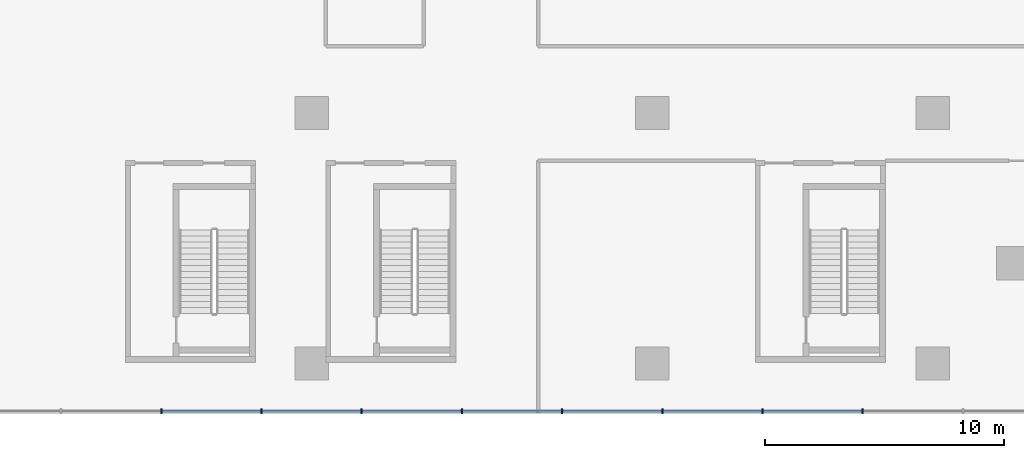
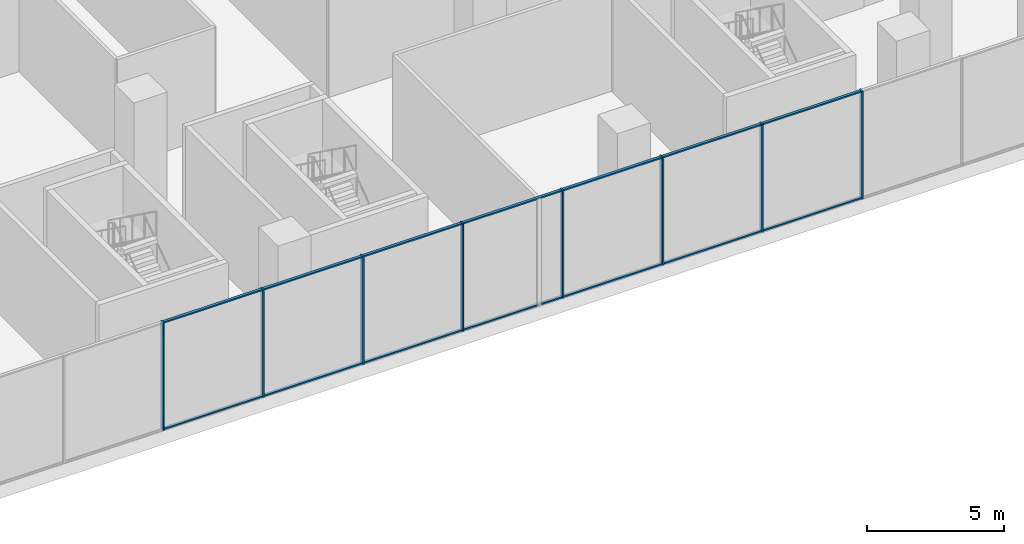
# One storey, part 4 of 22: 22 members, 1 element without a shape of its own.
"""IFC4 building model written with IfcOpenShell, lengths in metres."""

from ifc_helpers import new_model, si_unit, direction, frame, origin, origin_2d, place, context, subcontext, project, spatial, rectangle, extrude, source, transform, mapped, material, layer, layer_set, material_profile, profile_set, type_object, element, aggregate, save


model = new_model("IFC4")

# Units and contexts
model_context = context("Model", 3, precision=1e-05, world=origin(), true_north=direction((0.0, 1.0)))
body_context = subcontext(model_context, "Body", "Model", "MODEL_VIEW")
ifc_project = project(units=[si_unit("LENGTHUNIT", "METRE"), si_unit("AREAUNIT", "SQUARE_METRE"), si_unit("VOLUMEUNIT", "CUBIC_METRE"), si_unit("PLANEANGLEUNIT", "RADIAN"), si_unit("MASSUNIT", "GRAM", prefix="KILO")], contexts=[model_context])

# Site, building, storey
site_placement = place(None, origin())
site = spatial("IfcSite", under=ifc_project, at=site_placement, CompositionType="ELEMENT")
building_placement = place(site_placement, origin())
building = spatial("IfcBuilding", under=site, at=building_placement, Name="Aurelian Terraces", CompositionType="ELEMENT")
storey_placement = place(building_placement, frame((0.0, 0.0, 7.5)))
storey = spatial("IfcBuildingStorey", under=building, at=storey_placement, Name="L01", CompositionType="ELEMENT", Elevation=7.5)

# Curtain wall, members
ifc_material_1 = material(Name="Anodised aluminium and clear glazing", Category="aluminium")
ifc_layer = layer(ifc_material_1, 0.2)
ifc_layer_set = layer_set([ifc_layer], Name="Podium shopfront curtain wall")
curtain_wall_type = type_object("IfcCurtainWallType", Name="Podium shopfront curtain wall", PredefinedType="NOTDEFINED", material=ifc_layer_set)
curtain_wall_placement = place(storey_placement, origin())
curtain_wall = element("IfcCurtainWall", 1, at=curtain_wall_placement, inside=storey, type_object=curtain_wall_type, Name="Podium shopfront L01 F01.1", PredefinedType="NOTDEFINED")
ifc_material_2 = material(Name="Anodised aluminium", Category="aluminium")
ifc_material_profile_1 = material_profile(ifc_material_2, rectangle(XDim=0.2, YDim=0.06, at=origin_2d()))
ifc_profile_set_1 = profile_set([ifc_material_profile_1], Name="Anodised aluminium")
member_type_1 = type_object("IfcMemberType", Name="Podium shopfront mullion", PredefinedType="MULLION", material=ifc_profile_set_1)
shared_shape_1 = source(origin(), body_context, "Body", "SweptSolid", [
    extrude(rectangle(XDim=0.2, YDim=0.06, at=origin_2d()), origin(), (0.0, 0.0, 1.0), 4.8),
])
member_1_placement = place(storey_placement, frame((31.5, -2.0, 0.0), z_axis=(0.0, 0.0, 1.0), x_axis=(0.0, 1.0, 0.0)))
member_1 = element("IfcMember", 2, at=member_1_placement, type_object=member_type_1, Name="CW1 mullion 9", PredefinedType="MULLION", context=body_context, shape_type="MappedRepresentation", body=[
    mapped(shared_shape_1, transform((0.0, 0.0, 0.0), scale=1.0)),
])
member_2_placement = place(storey_placement, frame((35.7, -2.0, 0.0), z_axis=(0.0, 0.0, 1.0), x_axis=(0.0, 1.0, 0.0)))
member_2 = element("IfcMember", 3, at=member_2_placement, type_object=member_type_1, Name="CW1 mullion 10", PredefinedType="MULLION", context=body_context, shape_type="MappedRepresentation", body=[
    mapped(shared_shape_1, transform((0.0, 0.0, 0.0), scale=1.0)),
])
member_3_placement = place(storey_placement, frame((39.9, -2.0, 0.0), z_axis=(0.0, 0.0, 1.0), x_axis=(0.0, 1.0, 0.0)))
member_3 = element("IfcMember", 4, at=member_3_placement, type_object=member_type_1, Name="CW1 mullion 11", PredefinedType="MULLION", context=body_context, shape_type="MappedRepresentation", body=[
    mapped(shared_shape_1, transform((0.0, 0.0, 0.0), scale=1.0)),
])
member_4_placement = place(storey_placement, frame((44.1, -2.0, 0.0), z_axis=(0.0, 0.0, 1.0), x_axis=(0.0, 1.0, 0.0)))
member_4 = element("IfcMember", 5, at=member_4_placement, type_object=member_type_1, Name="CW1 mullion 12", PredefinedType="MULLION", context=body_context, shape_type="MappedRepresentation", body=[
    mapped(shared_shape_1, transform((0.0, 0.0, 0.0), scale=1.0)),
])
member_5_placement = place(storey_placement, frame((48.3, -2.0, 0.0), z_axis=(0.0, 0.0, 1.0), x_axis=(0.0, 1.0, 0.0)))
member_5 = element("IfcMember", 6, at=member_5_placement, type_object=member_type_1, Name="CW1 mullion 13", PredefinedType="MULLION", context=body_context, shape_type="MappedRepresentation", body=[
    mapped(shared_shape_1, transform((0.0, 0.0, 0.0), scale=1.0)),
])
member_6_placement = place(storey_placement, frame((52.5, -2.0, 0.0), z_axis=(0.0, 0.0, 1.0), x_axis=(0.0, 1.0, 0.0)))
member_6 = element("IfcMember", 7, at=member_6_placement, type_object=member_type_1, Name="CW1 mullion 14", PredefinedType="MULLION", context=body_context, shape_type="MappedRepresentation", body=[
    mapped(shared_shape_1, transform((0.0, 0.0, 0.0), scale=1.0)),
])
member_7_placement = place(storey_placement, frame((56.7, -2.0, 0.0), z_axis=(0.0, 0.0, 1.0), x_axis=(0.0, 1.0, 0.0)))
member_7 = element("IfcMember", 8, at=member_7_placement, type_object=member_type_1, Name="CW1 mullion 15", PredefinedType="MULLION", context=body_context, shape_type="MappedRepresentation", body=[
    mapped(shared_shape_1, transform((0.0, 0.0, 0.0), scale=1.0)),
])
member_8_placement = place(storey_placement, frame((60.9, -2.0, 0.0), z_axis=(0.0, 0.0, 1.0), x_axis=(0.0, 1.0, 0.0)))
member_8 = element("IfcMember", 9, at=member_8_placement, type_object=member_type_1, Name="CW1 mullion 16", PredefinedType="MULLION", context=body_context, shape_type="MappedRepresentation", body=[
    mapped(shared_shape_1, transform((0.0, 0.0, 0.0), scale=1.0)),
])
ifc_material_profile_2 = material_profile(ifc_material_2, rectangle(XDim=0.12, YDim=0.06, at=origin_2d()))
ifc_profile_set_2 = profile_set([ifc_material_profile_2], Name="Anodised aluminium")
member_type_2 = type_object("IfcMemberType", Name="Podium shopfront transom", PredefinedType="USERDEFINED", material=ifc_profile_set_2)
shared_shape_2 = source(origin(), body_context, "Body", "SweptSolid", [
    extrude(rectangle(XDim=0.12, YDim=0.06, at=origin_2d()), origin(), (0.0, 0.0, 1.0), 4.14),
])
member_9_placement = place(storey_placement, frame((31.53, -2.0, 0.03), z_axis=(1.0, 0.0, 0.0), x_axis=(0.0, 1.0, 0.0)))
member_9 = element("IfcMember", 10, at=member_9_placement, type_object=member_type_2, Name="CW1 transom 9.1", ObjectType="TRANSOM", PredefinedType="USERDEFINED", context=body_context, shape_type="MappedRepresentation", body=[
    mapped(shared_shape_2, transform((0.0, 0.0, 0.0), scale=1.0)),
])
member_10_placement = place(storey_placement, frame((31.53, -2.0, 4.77), z_axis=(1.0, 0.0, 0.0), x_axis=(0.0, 1.0, 0.0)))
member_10 = element("IfcMember", 11, at=member_10_placement, type_object=member_type_2, Name="CW1 transom 9.2", ObjectType="TRANSOM", PredefinedType="USERDEFINED", context=body_context, shape_type="MappedRepresentation", body=[
    mapped(shared_shape_2, transform((0.0, 0.0, 0.0), scale=1.0)),
])
member_11_placement = place(storey_placement, frame((35.73, -2.0, 0.03), z_axis=(1.0, 0.0, 0.0), x_axis=(0.0, 1.0, 0.0)))
member_11 = element("IfcMember", 12, at=member_11_placement, type_object=member_type_2, Name="CW1 transom 10.1", ObjectType="TRANSOM", PredefinedType="USERDEFINED", context=body_context, shape_type="MappedRepresentation", body=[
    mapped(shared_shape_2, transform((0.0, 0.0, 0.0), scale=1.0)),
])
member_12_placement = place(storey_placement, frame((35.73, -2.0, 4.77), z_axis=(1.0, 0.0, 0.0), x_axis=(0.0, 1.0, 0.0)))
member_12 = element("IfcMember", 13, at=member_12_placement, type_object=member_type_2, Name="CW1 transom 10.2", ObjectType="TRANSOM", PredefinedType="USERDEFINED", context=body_context, shape_type="MappedRepresentation", body=[
    mapped(shared_shape_2, transform((0.0, 0.0, 0.0), scale=1.0)),
])
member_13_placement = place(storey_placement, frame((39.93, -2.0, 0.03), z_axis=(1.0, 0.0, 0.0), x_axis=(0.0, 1.0, 0.0)))
member_13 = element("IfcMember", 14, at=member_13_placement, type_object=member_type_2, Name="CW1 transom 11.1", ObjectType="TRANSOM", PredefinedType="USERDEFINED", context=body_context, shape_type="MappedRepresentation", body=[
    mapped(shared_shape_2, transform((0.0, 0.0, 0.0), scale=1.0)),
])
member_14_placement = place(storey_placement, frame((39.93, -2.0, 4.77), z_axis=(1.0, 0.0, 0.0), x_axis=(0.0, 1.0, 0.0)))
member_14 = element("IfcMember", 15, at=member_14_placement, type_object=member_type_2, Name="CW1 transom 11.2", ObjectType="TRANSOM", PredefinedType="USERDEFINED", context=body_context, shape_type="MappedRepresentation", body=[
    mapped(shared_shape_2, transform((0.0, 0.0, 0.0), scale=1.0)),
])
member_15_placement = place(storey_placement, frame((44.13, -2.0, 0.03), z_axis=(1.0, 0.0, 0.0), x_axis=(0.0, 1.0, 0.0)))
member_15 = element("IfcMember", 16, at=member_15_placement, type_object=member_type_2, Name="CW1 transom 12.1", ObjectType="TRANSOM", PredefinedType="USERDEFINED", context=body_context, shape_type="MappedRepresentation", body=[
    mapped(shared_shape_2, transform((0.0, 0.0, 0.0), scale=1.0)),
])
member_16_placement = place(storey_placement, frame((44.13, -2.0, 4.77), z_axis=(1.0, 0.0, 0.0), x_axis=(0.0, 1.0, 0.0)))
member_16 = element("IfcMember", 17, at=member_16_placement, type_object=member_type_2, Name="CW1 transom 12.2", ObjectType="TRANSOM", PredefinedType="USERDEFINED", context=body_context, shape_type="MappedRepresentation", body=[
    mapped(shared_shape_2, transform((0.0, 0.0, 0.0), scale=1.0)),
])
member_17_placement = place(storey_placement, frame((48.33, -2.0, 0.03), z_axis=(1.0, 0.0, 0.0), x_axis=(0.0, 1.0, 0.0)))
member_17 = element("IfcMember", 18, at=member_17_placement, type_object=member_type_2, Name="CW1 transom 13.1", ObjectType="TRANSOM", PredefinedType="USERDEFINED", context=body_context, shape_type="MappedRepresentation", body=[
    mapped(shared_shape_2, transform((0.0, 0.0, 0.0), scale=1.0)),
])
member_18_placement = place(storey_placement, frame((48.33, -2.0, 4.77), z_axis=(1.0, 0.0, 0.0), x_axis=(0.0, 1.0, 0.0)))
member_18 = element("IfcMember", 19, at=member_18_placement, type_object=member_type_2, Name="CW1 transom 13.2", ObjectType="TRANSOM", PredefinedType="USERDEFINED", context=body_context, shape_type="MappedRepresentation", body=[
    mapped(shared_shape_2, transform((0.0, 0.0, 0.0), scale=1.0)),
])
member_19_placement = place(storey_placement, frame((52.53, -2.0, 0.03), z_axis=(1.0, 0.0, 0.0), x_axis=(0.0, 1.0, 0.0)))
member_19 = element("IfcMember", 20, at=member_19_placement, type_object=member_type_2, Name="CW1 transom 14.1", ObjectType="TRANSOM", PredefinedType="USERDEFINED", context=body_context, shape_type="MappedRepresentation", body=[
    mapped(shared_shape_2, transform((0.0, 0.0, 0.0), scale=1.0)),
])
member_20_placement = place(storey_placement, frame((52.53, -2.0, 4.77), z_axis=(1.0, 0.0, 0.0), x_axis=(0.0, 1.0, 0.0)))
member_20 = element("IfcMember", 21, at=member_20_placement, type_object=member_type_2, Name="CW1 transom 14.2", ObjectType="TRANSOM", PredefinedType="USERDEFINED", context=body_context, shape_type="MappedRepresentation", body=[
    mapped(shared_shape_2, transform((0.0, 0.0, 0.0), scale=1.0)),
])
member_21_placement = place(storey_placement, frame((56.73, -2.0, 0.03), z_axis=(1.0, 0.0, 0.0), x_axis=(0.0, 1.0, 0.0)))
member_21 = element("IfcMember", 22, at=member_21_placement, type_object=member_type_2, Name="CW1 transom 15.1", ObjectType="TRANSOM", PredefinedType="USERDEFINED", context=body_context, shape_type="MappedRepresentation", body=[
    mapped(shared_shape_2, transform((0.0, 0.0, 0.0), scale=1.0)),
])
member_22_placement = place(storey_placement, frame((56.73, -2.0, 4.77), z_axis=(1.0, 0.0, 0.0), x_axis=(0.0, 1.0, 0.0)))
member_22 = element("IfcMember", 23, at=member_22_placement, type_object=member_type_2, Name="CW1 transom 15.2", ObjectType="TRANSOM", PredefinedType="USERDEFINED", context=body_context, shape_type="MappedRepresentation", body=[
    mapped(shared_shape_2, transform((0.0, 0.0, 0.0), scale=1.0)),
])
aggregate(curtain_wall, [member_1, member_2, member_3, member_4, member_5, member_6, member_7, member_8, member_9, member_10, member_11, member_12, member_13, member_14, member_15, member_16, member_17, member_18, member_19, member_20, member_21, member_22])

save(model, "model.ifc")
